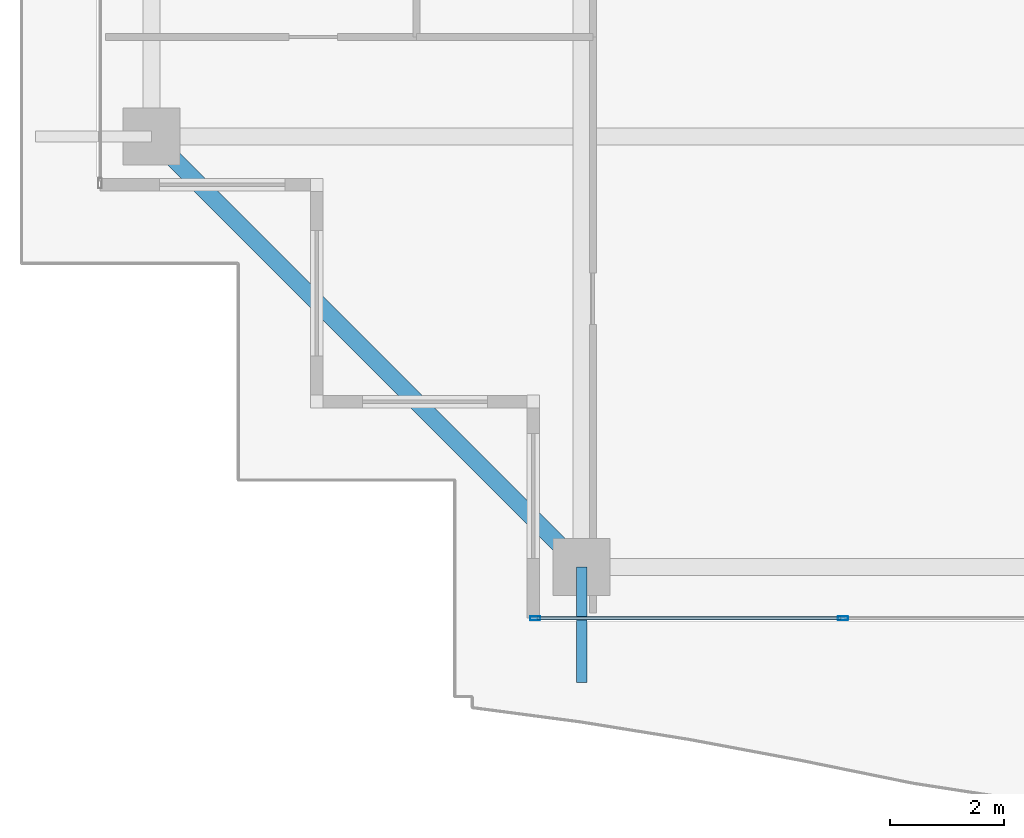
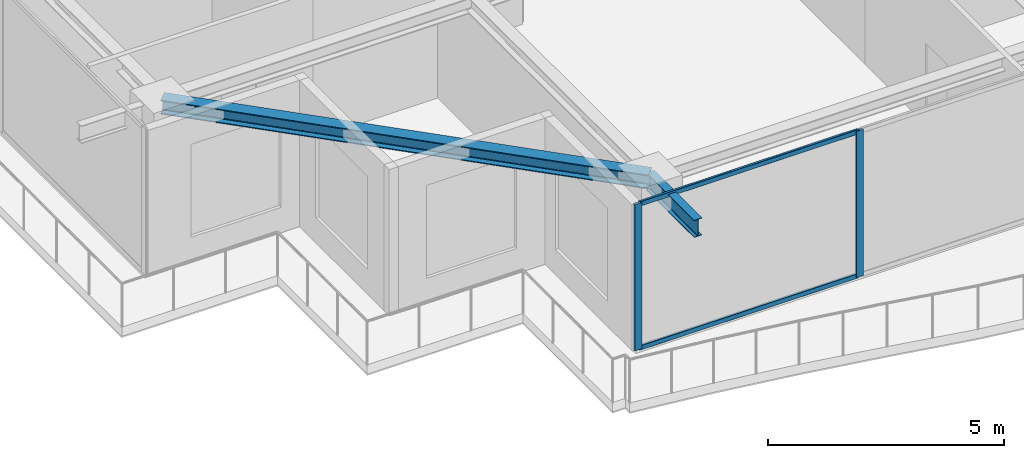
# One storey, part 2 of 42: 4 members, 2 beams, 1 element without a shape of its own.
"""IFC4 building model written with IfcOpenShell, lengths in metres."""

import ifcopenshell
import ifcopenshell.guid

model = None  # the IFC model being written
_history = None  # IfcOwnerHistory: only IFC2X3 demands one
_inside = {}  # id of a spatial element -> (the spatial element, [elements in it])
_under = {}  # id of a project, library or spatial element -> (it, [spatial elements below it])
_declared = {}  # id of a project -> (the project, [libraries it declares])
_typed = {}  # id of a type object -> (the type object, [elements of that type])
_made_of = {}  # id of a material, layer set ... -> (it, [elements and type objects made of it])


def new_model(schema):
    """Start an empty IFC model of exactly this schema.

    Asked for "IFC4X3", IfcOpenShell would pick the latest addendum, in which some entities
    have other attributes; the version numbers below select the first issue.
    IFC2X3 requires an IfcOwnerHistory on every rooted entity: one is made here for all.
    """
    global model, _history
    if schema == "IFC4X3":
        model = ifcopenshell.file(schema_version=(4, 3, 0, 0))
    else:
        model = ifcopenshell.file(schema=schema)
    _inside.clear()
    _under.clear()
    _declared.clear()
    _typed.clear()
    _made_of.clear()
    _history = None
    if model.schema == "IFC2X3":
        org = make("IfcOrganization", Name="unknown")
        user = make(
            "IfcPersonAndOrganization",
            ThePerson=make("IfcPerson", FamilyName="unknown"),
            TheOrganization=org,
        )
        app = make(
            "IfcApplication",
            ApplicationDeveloper=org,
            Version="unknown",
            ApplicationFullName="unknown",
            ApplicationIdentifier="unknown",
        )
        _history = make(
            "IfcOwnerHistory",
            OwningUser=user,
            OwningApplication=app,
            ChangeAction="ADDED",
            CreationDate=0,
        )
    return model


def make(cls, **values):
    """One entity of the class cls with the attributes given. An attribute that is None is left unset."""
    return model.create_entity(
        cls, **{name: value for name, value in values.items() if value is not None}
    )


def rooted(cls, **values):
    """An entity with a GlobalId (a new one), such as an element, a storey or a relation."""
    return make(cls, GlobalId=ifcopenshell.guid.new(), OwnerHistory=_history, **values)


def si_unit(unit_type, name, prefix=None):
    """IfcSIUnit, for example si_unit("LENGTHUNIT", "METRE", prefix="MILLI")."""
    return make("IfcSIUnit", UnitType=unit_type, Prefix=prefix, Name=name)


def assignment(units):
    """IfcUnitAssignment: the units of a project."""
    return None if units is None else make("IfcUnitAssignment", Units=units)


def point(xyz):
    """IfcCartesianPoint."""
    return None if xyz is None else make("IfcCartesianPoint", Coordinates=xyz)


def direction(xyz):
    """IfcDirection."""
    return None if xyz is None else make("IfcDirection", DirectionRatios=xyz)


def frame(location, z_axis=None, x_axis=None):
    """IfcAxis2Placement3D, a coordinate frame: its origin and axes. An axis left out is left unset."""
    return make(
        "IfcAxis2Placement3D",
        Location=point(location),
        Axis=direction(z_axis),
        RefDirection=direction(x_axis),
    )


def frame_2d(location, x_axis=None):
    """IfcAxis2Placement2D, a coordinate frame in the plane: its origin and x axis."""
    return make(
        "IfcAxis2Placement2D", Location=point(location), RefDirection=direction(x_axis)
    )


def origin():
    """The frame at (0, 0, 0) with its axes left unset."""
    return frame((0.0, 0.0, 0.0))


def origin_2d():
    """The frame at (0, 0) in the plane with its x axis left unset."""
    return frame_2d((0.0, 0.0))


def place(relative_to, where):
    """IfcLocalPlacement: puts the frame where relative to a parent placement (None: the world)."""
    return make(
        "IfcLocalPlacement", PlacementRelTo=relative_to, RelativePlacement=where
    )


def context(
    kind, dimensions, precision=None, world=None, true_north=None, identifier=None
):
    """IfcGeometricRepresentationContext, for example the 3D "Model" context."""
    return make(
        "IfcGeometricRepresentationContext",
        ContextIdentifier=identifier,
        ContextType=kind,
        CoordinateSpaceDimension=dimensions,
        Precision=precision,
        WorldCoordinateSystem=world,
        TrueNorth=true_north,
    )


def subcontext(parent, identifier, kind, view, scale=None):
    """IfcGeometricRepresentationSubContext, for example "Body" below "Model"."""
    return make(
        "IfcGeometricRepresentationSubContext",
        ContextIdentifier=identifier,
        ContextType=kind,
        ParentContext=parent,
        TargetScale=scale,
        TargetView=view,
    )


def project(units=None, contexts=None):
    """IfcProject with its units and contexts."""
    return rooted(
        "IfcProject",
        Name="project",
        RepresentationContexts=contexts,
        UnitsInContext=assignment(units),
    )


def spatial(cls, under=None, at=None, **own):
    """A site, building, storey or space (cls), placed at a placement, below another one or the project."""
    s = rooted(cls, ObjectPlacement=at, **own)
    if under is not None:
        _under.setdefault(under.id(), (under, []))[1].append(s)
    return s


def profile(cls, at=None, kind="AREA", **sizes):
    """A parametric profile (cls). Its sizes go by their IFC names, for example OverallWidth=200.0."""
    return make(cls, ProfileType=kind, Position=at, **sizes)


def hollow_rectangle(**sizes):
    """IfcRectangleHollowProfileDef."""
    return profile("IfcRectangleHollowProfileDef", **sizes)


def i_section(**sizes):
    """IfcIShapeProfileDef."""
    return profile("IfcIShapeProfileDef", **sizes)


def extrude(swept, where, along, depth):
    """IfcExtrudedAreaSolid: the profile swept, set in the frame where, extruded along a direction by depth."""
    return make(
        "IfcExtrudedAreaSolid",
        SweptArea=swept,
        Position=where,
        ExtrudedDirection=direction(along),
        Depth=depth,
    )


def shape(context_of_items, identifier, shape_type, items):
    """IfcShapeRepresentation: the items that make up one representation, for example the "Body"."""
    return make(
        "IfcShapeRepresentation",
        ContextOfItems=context_of_items,
        RepresentationIdentifier=identifier,
        RepresentationType=shape_type,
        Items=items,
    )


def source(mapping_origin, context_of_items, identifier, shape_type, items):
    """IfcRepresentationMap: a shape defined once, which mapped items show again and again."""
    return make(
        "IfcRepresentationMap",
        MappingOrigin=mapping_origin,
        MappedRepresentation=shape(context_of_items, identifier, shape_type, items),
    )


def transform(
    local_origin,
    x_axis=None,
    y_axis=None,
    z_axis=None,
    scale=None,
    scale2=None,
    scale3=None,
    uniform=True,
):
    """IfcCartesianTransformationOperator3D, or its non-uniform kind. x_axis, y_axis, z_axis: its Axis1, 2, 3."""
    if uniform:
        return make(
            "IfcCartesianTransformationOperator3D",
            Axis1=direction(x_axis),
            Axis2=direction(y_axis),
            LocalOrigin=point(local_origin),
            Scale=scale,
            Axis3=direction(z_axis),
        )
    return make(
        "IfcCartesianTransformationOperator3DnonUniform",
        Axis1=direction(x_axis),
        Axis2=direction(y_axis),
        LocalOrigin=point(local_origin),
        Scale=scale,
        Axis3=direction(z_axis),
        Scale2=scale2,
        Scale3=scale3,
    )


def mapped(mapping_source, mapping_target):
    """IfcMappedItem: shows the shape of a source again, moved by a transform."""
    return make(
        "IfcMappedItem", MappingSource=mapping_source, MappingTarget=mapping_target
    )


def material(Name=None, Category=None):
    """IfcMaterial."""
    return make("IfcMaterial", Name=Name, Category=Category)


def layer(
    of_material, thickness, ventilated=None, Name=None, Category=None, Priority=None
):
    """IfcMaterialLayer: one layer of a wall or slab, of a material (None: an air gap)."""
    return make(
        "IfcMaterialLayer",
        Material=of_material,
        LayerThickness=thickness,
        IsVentilated=ventilated,
        Name=Name,
        Category=Category,
        Priority=Priority,
    )


def layer_set(layers, Name=None):
    """IfcMaterialLayerSet."""
    return make("IfcMaterialLayerSet", MaterialLayers=layers, LayerSetName=Name)


def material_profile(
    of_material, cross_section, Name=None, Category=None, Priority=None
):
    """IfcMaterialProfile: a cross section and its material."""
    return make(
        "IfcMaterialProfile",
        Name=Name,
        Material=of_material,
        Profile=cross_section,
        Priority=Priority,
        Category=Category,
    )


def profile_set(profiles, Name=None, composite=None):
    """IfcMaterialProfileSet."""
    return make(
        "IfcMaterialProfileSet",
        Name=Name,
        MaterialProfiles=profiles,
        CompositeProfile=composite,
    )


def made_of(thing, what):
    """Note that an element or type object is made of a material, layer set ...; save() writes the relation."""
    if what is not None:
        _made_of.setdefault(what.id(), (what, []))[1].append(thing)
    return thing


def type_object(cls, material=None, **own):
    """A type object (cls), such as IfcWallType, which elements share."""
    return made_of(rooted(cls, **own), material)


def element(
    cls,
    number,
    at=None,
    inside=None,
    cuts=None,
    type_object=None,
    material=None,
    context=None,
    identifier="Body",
    shape_type=None,
    held_by="IfcProductDefinitionShape",
    body=None,
    shapes=None,
    **own,
):
    """One element of the class cls, such as IfcWall. Its Tag is "e" and its number.

    at: its placement. inside: the storey or other place that contains it. cuts: it is an
    opening in that element (IfcRelVoidsElement). A single representation is given by context,
    identifier, shape_type and body (its items); several are given by shapes. held_by: the class
    of the entity that holds the representations. save() writes the other relations.
    """
    e = rooted(cls, Tag="e%d" % number, ObjectPlacement=at, **own)
    if body is not None:
        shapes = [shape(context, identifier, shape_type, body)]
    if shapes is not None:
        e.Representation = make(held_by, Representations=shapes)
    if inside is not None:
        _inside.setdefault(inside.id(), (inside, []))[1].append(e)
    if cuts is not None:
        rooted(
            "IfcRelVoidsElement", RelatingBuildingElement=cuts, RelatedOpeningElement=e
        )
    if type_object is not None:
        _typed.setdefault(type_object.id(), (type_object, []))[1].append(e)
    return made_of(e, material)


def aggregate(whole, parts):
    """IfcRelAggregates: a whole, such as a stair, and the parts it consists of."""
    return rooted("IfcRelAggregates", RelatingObject=whole, RelatedObjects=parts)


def save(model, path):
    """Write the relations noted so far, then the file.

    IfcRelAggregates (storeys below a building ...), IfcRelContainedInSpatialStructure (elements
    in a storey), IfcRelDefinesByType, IfcRelAssociatesMaterial and IfcRelDeclares: one each for
    every whole, place, type object, material and project.
    """
    for whole, parts in _under.values():
        aggregate(whole, parts)
    for where, things in _inside.values():
        rooted(
            "IfcRelContainedInSpatialStructure",
            RelatedElements=things,
            RelatingStructure=where,
        )
    for kind, things in _typed.values():
        rooted("IfcRelDefinesByType", RelatedObjects=things, RelatingType=kind)
    for what, things in _made_of.values():
        rooted("IfcRelAssociatesMaterial", RelatedObjects=things, RelatingMaterial=what)
    for by, libraries in _declared.values():
        rooted("IfcRelDeclares", RelatingContext=by, RelatedDefinitions=libraries)
    model.write(path)


model = new_model("IFC4")

# Units and contexts
model_context = context("Model", 3, precision=1e-05, world=origin(), true_north=direction((0.0, 1.0)))
body_context = subcontext(model_context, "Body", "Model", "MODEL_VIEW")
ifc_project = project(units=[si_unit("LENGTHUNIT", "METRE"), si_unit("AREAUNIT", "SQUARE_METRE"), si_unit("VOLUMEUNIT", "CUBIC_METRE"), si_unit("PLANEANGLEUNIT", "RADIAN"), si_unit("MASSUNIT", "GRAM", prefix="KILO")], contexts=[model_context])

# Site, building, storey
site_placement = place(None, origin())
site = spatial("IfcSite", under=ifc_project, at=site_placement, CompositionType="ELEMENT")
building_placement = place(site_placement, origin())
building = spatial("IfcBuilding", under=site, at=building_placement, Name="Serunith Strait Residences", CompositionType="ELEMENT")
storey_placement = place(building_placement, frame((0.0, 0.0, 309.64990234375)))
storey = spatial("IfcBuildingStorey", under=building, at=storey_placement, Name="L77", CompositionType="ELEMENT", Elevation=309.64990234375)

# Beams
ifc_material_1 = material(Name="Steel S355J2", Category="steel")
ifc_material_profile_1 = material_profile(ifc_material_1, i_section(OverallWidth=0.300048828125, OverallDepth=0.360107421875, WebThickness=0.012451171875, FlangeThickness=0.0224609375, FilletRadius=0.027099609375, at=origin_2d()), Name="HEB 360")
ifc_profile_set_1 = profile_set([ifc_material_profile_1], Name="Steel S355J2")
beam_type_1 = type_object("IfcBeamType", Name="BM-HEB360", PredefinedType="BEAM", material=ifc_profile_set_1)
shared_shape_1 = source(origin(), body_context, "Body", "SweptSolid", [
    extrude(i_section(OverallWidth=0.300048828125, OverallDepth=0.360107421875, WebThickness=0.012451171875, FlangeThickness=0.0224609375, FilletRadius=0.027099609375, at=origin_2d()), origin(), (0.0, 0.0, 1.0), 10.67724609375),
])
beam_1_placement = place(storey_placement, frame((10.10009765625, 10.85009765625, 3.5771484375), z_axis=(0.707095348302, -0.707118213887, 0.0), x_axis=(0.707118213887, 0.707095348302, 0.0)))
element("IfcBeam", 1, at=beam_1_placement, inside=storey, type_object=beam_type_1, Name="L77 Perimeter Ring Beam 16", PredefinedType="BEAM", context=body_context, shape_type="MappedRepresentation", body=[
    mapped(shared_shape_1, transform((0.0, 0.0, 0.0), scale=1.0)),
])
ifc_material_profile_2 = material_profile(ifc_material_1, i_section(OverallWidth=0.18994140625, OverallDepth=0.449951171875, WebThickness=0.009521484375, FlangeThickness=0.0146484375, FilletRadius=0.02099609375, at=origin_2d()), Name="IPE 450")
ifc_profile_set_2 = profile_set([ifc_material_profile_2], Name="Steel S355J2")
beam_type_2 = type_object("IfcBeamType", Name="BM-IPE450", PredefinedType="JOIST", material=ifc_profile_set_2)
shared_shape_2 = source(origin(), body_context, "Body", "SweptSolid", [
    extrude(i_section(OverallWidth=0.18994140625, OverallDepth=0.449951171875, WebThickness=0.009521484375, FlangeThickness=0.0146484375, FilletRadius=0.02099609375, at=origin_2d()), origin(), (0.0, 0.0, 1.0), 2.030029296875),
])
beam_2_placement = place(storey_placement, frame((17.64990234375, 3.300048828125, 3.531982421875), z_axis=(0.0, -1.0, 0.0), x_axis=(1.0, 0.0, 0.0)))
element("IfcBeam", 2, at=beam_2_placement, inside=storey, type_object=beam_type_2, Name="L78 Cantilevered Balcony Rib TC-S1", PredefinedType="JOIST", context=body_context, shape_type="MappedRepresentation", body=[
    mapped(shared_shape_2, transform((0.0, 0.0, 0.0), scale=1.0)),
])

# Curtain wall, members
ifc_material_2 = material(Name="Brushed Stainless-Silver Aluminium", Category="aluminium")
ifc_layer = layer(ifc_material_2, 0.199951171875, Name="Brushed Stainless-Silver Aluminium")
ifc_layer_set = layer_set([ifc_layer], Name="Brushed Stainless-Silver Aluminium")
curtain_wall_type = type_object("IfcCurtainWallType", Name="CW-SYS5", PredefinedType="NOTDEFINED", material=ifc_layer_set)
curtain_wall_placement = place(storey_placement, origin())
curtain_wall = element("IfcCurtainWall", 3, at=curtain_wall_placement, inside=storey, type_object=curtain_wall_type, Name="L77 S Unitised Fritted Curtain Wall", PredefinedType="NOTDEFINED")
ifc_material_profile_3 = material_profile(ifc_material_2, hollow_rectangle(XDim=0.06494140625, YDim=0.179931640625, WallThickness=0.00341796875, InnerFilletRadius=0.00537109375, OuterFilletRadius=0.0087890625, at=origin_2d()), Name="ALU 180x65x3.5")
ifc_profile_set_3 = profile_set([ifc_material_profile_3], Name="Brushed Stainless-Silver Aluminium")
member_type_1 = type_object("IfcMemberType", Name="CW-SYS5-MULL", PredefinedType="MULLION", material=ifc_profile_set_3)
shared_shape_3 = source(origin(), body_context, "Body", "SweptSolid", [
    extrude(hollow_rectangle(XDim=0.06494140625, YDim=0.179931640625, WallThickness=0.00341796875, InnerFilletRadius=0.00537109375, OuterFilletRadius=0.0087890625, at=origin_2d()), origin(), (0.0, 0.0, 1.0), 3.775146484375),
])
member_1_placement = place(storey_placement, frame((16.83251953125, 2.39990234375, 0.0), z_axis=(0.0, 0.0, 1.0), x_axis=(0.0, 1.0, 0.0)))
member_1 = element("IfcMember", 4, at=member_1_placement, type_object=member_type_1, Name="CW-5 mullion 1", PredefinedType="MULLION", context=body_context, shape_type="MappedRepresentation", body=[
    mapped(shared_shape_3, transform((0.0, 0.0, 0.0), scale=1.0)),
])
member_2_placement = place(storey_placement, frame((22.2333984375, 2.39990234375, 0.0), z_axis=(0.0, 0.0, 1.0), x_axis=(0.0, 1.0, 0.0)))
member_2 = element("IfcMember", 5, at=member_2_placement, type_object=member_type_1, Name="CW-5 mullion 2", PredefinedType="MULLION", context=body_context, shape_type="MappedRepresentation", body=[
    mapped(shared_shape_3, transform((0.0, 0.0, 0.0), scale=1.0)),
])
ifc_material_profile_4 = material_profile(ifc_material_2, hollow_rectangle(XDim=0.06005859375, YDim=0.1201171875, WallThickness=0.00341796875, InnerFilletRadius=0.00537109375, OuterFilletRadius=0.0087890625, at=origin_2d()), Name="ALU 120x60x3.5")
ifc_profile_set_4 = profile_set([ifc_material_profile_4], Name="Brushed Stainless-Silver Aluminium")
member_type_2 = type_object("IfcMemberType", Name="CW-SYS5-TRAN", PredefinedType="USERDEFINED", material=ifc_profile_set_4)
shared_shape_4 = source(origin(), body_context, "Body", "SweptSolid", [
    extrude(hollow_rectangle(XDim=0.06005859375, YDim=0.1201171875, WallThickness=0.00341796875, InnerFilletRadius=0.00537109375, OuterFilletRadius=0.0087890625, at=origin_2d()), origin(), (0.0, 0.0, 1.0), 5.3359375),
])
member_3_placement = place(storey_placement, frame((16.864990234375, 2.39990234375, 0.030029296875), z_axis=(1.0, 0.0, 0.0), x_axis=(0.0, 1.0, 0.0)))
member_3 = element("IfcMember", 6, at=member_3_placement, type_object=member_type_2, Name="CW-5 transom 1.1", ObjectType="TRANSOM", PredefinedType="USERDEFINED", context=body_context, shape_type="MappedRepresentation", body=[
    mapped(shared_shape_4, transform((0.0, 0.0, 0.0), scale=1.0)),
])
member_4_placement = place(storey_placement, frame((16.864990234375, 2.39990234375, 3.7451171875), z_axis=(1.0, 0.0, 0.0), x_axis=(0.0, 1.0, 0.0)))
member_4 = element("IfcMember", 7, at=member_4_placement, type_object=member_type_2, Name="CW-5 transom 1.2", ObjectType="TRANSOM", PredefinedType="USERDEFINED", context=body_context, shape_type="MappedRepresentation", body=[
    mapped(shared_shape_4, transform((0.0, 0.0, 0.0), scale=1.0)),
])
aggregate(curtain_wall, [member_1, member_2, member_3, member_4])

save(model, "model.ifc")
